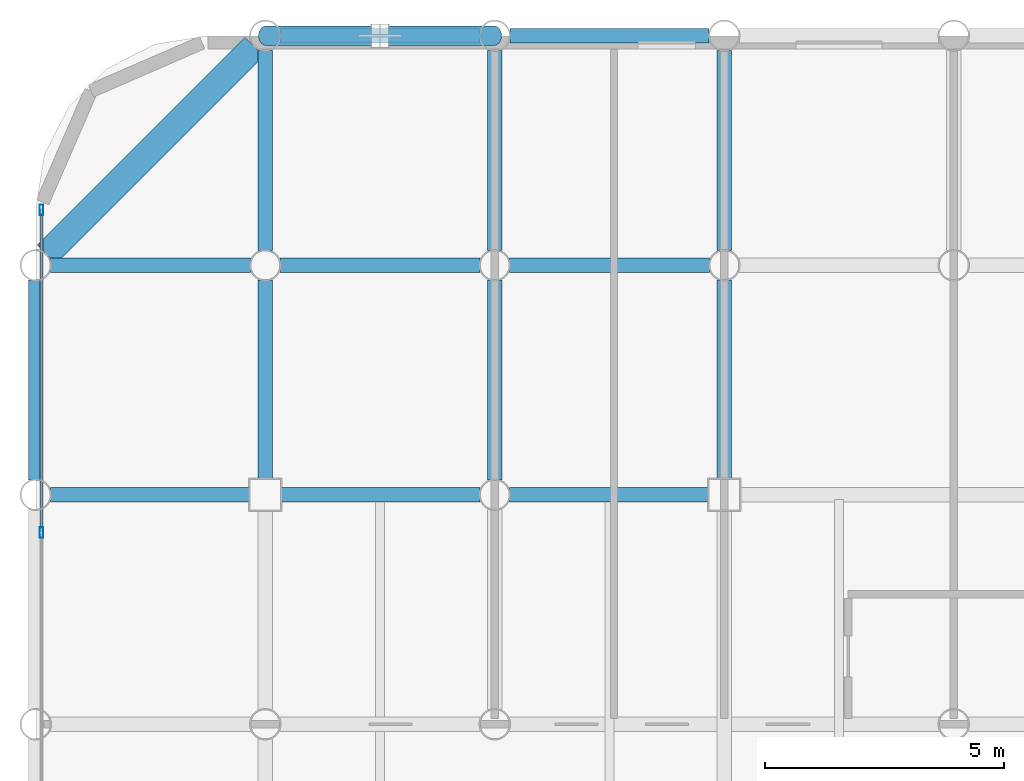
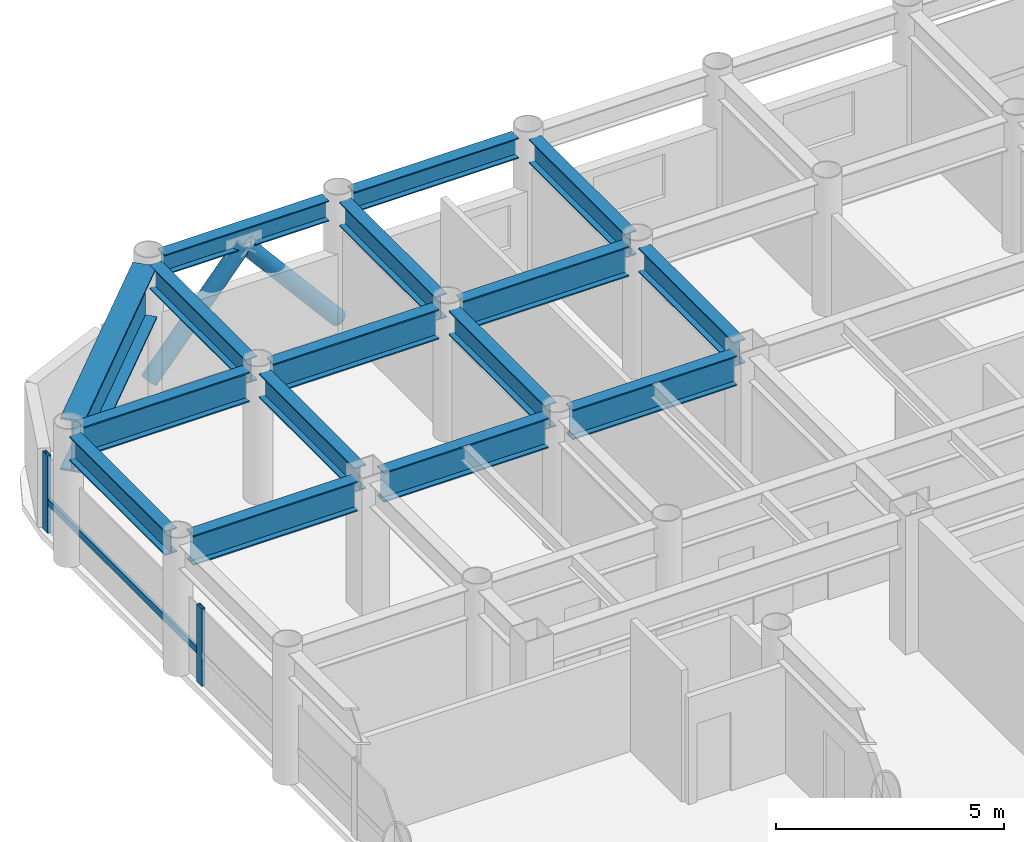
# One storey, part 11 of 22: 16 beams, 5 members, 1 element without a shape of its own.
"""IFC4 building model written with IfcOpenShell, lengths in metres."""

from ifc_helpers import new_model, si_unit, direction, frame, origin, origin_2d, place, context, subcontext, project, spatial, hollow_rectangle, hollow_circle, i_section, extrude, material, layer, layer_set, material_profile, profile_set, type_object, element, aggregate, save


model = new_model("IFC4")

# Units and contexts
model_context = context("Model", 3, precision=1e-05, world=origin(), true_north=direction((0.0, 1.0)))
body_context = subcontext(model_context, "Body", "Model", "MODEL_VIEW")
ifc_project = project(units=[si_unit("LENGTHUNIT", "METRE"), si_unit("AREAUNIT", "SQUARE_METRE"), si_unit("VOLUMEUNIT", "CUBIC_METRE"), si_unit("PLANEANGLEUNIT", "RADIAN"), si_unit("MASSUNIT", "GRAM", prefix="KILO")], contexts=[model_context])

# Site, building, storey
site_placement = place(None, origin())
site = spatial("IfcSite", under=ifc_project, at=site_placement, CompositionType="ELEMENT")
building_placement = place(site_placement, origin())
building = spatial("IfcBuilding", under=site, at=building_placement, Name="Kallvorn Hotel Tower", CompositionType="ELEMENT")
storey_placement = place(building_placement, frame((0.0, 0.0, 113.699951171875)))
storey = spatial("IfcBuildingStorey", under=building, at=storey_placement, Name="L27", CompositionType="ELEMENT", Elevation=113.699951171875)

# Beams
ifc_material_1 = material(Name="Structural steel S355JR", Category="steel")
ifc_material_profile_1 = material_profile(ifc_material_1, i_section(OverallWidth=0.300048828125, OverallDepth=0.550048828125, WebThickness=0.014892578125, FlangeThickness=0.029052734375, at=origin_2d()), Name="HE 550 B")
ifc_profile_set_1 = profile_set([ifc_material_profile_1], Name="Structural steel S355JR")
beam_type_1 = type_object("IfcBeamType", Name="BM_HE550B", PredefinedType="SPANDREL", material=ifc_profile_set_1)
for number, where, z_axis, x_axis, name in (
    (1, (-23.679931640625, 24.0, 3.2451171875), (1.0, 0.0, 0.0), (0.0, 1.0, 0.0), "L28 Perimeter Spandrel 163"),
    (2, (-18.8798828125, 24.0, 3.2451171875), (1.0, 0.0, 0.0), (0.0, 1.0, 0.0), "L28 Perimeter Spandrel 164"),
):
    element("IfcBeam", number, at=place(storey_placement, frame(where, z_axis=z_axis, x_axis=x_axis)), inside=storey, type_object=beam_type_1, Name=name, PredefinedType="SPANDREL", context=body_context, shape_type="SweptSolid", body=[
        extrude(i_section(OverallWidth=0.300048828125, OverallDepth=0.550048828125, WebThickness=0.014892578125, FlangeThickness=0.029052734375, at=origin_2d()), origin(), (0.0, 0.0, 1.0), 4.159912109375),
    ])
ifc_material_2 = material(Name="Structural steel S355JR", Category="steel")
ifc_material_profile_2 = material_profile(ifc_material_2, i_section(OverallWidth=0.300048828125, OverallDepth=0.64990234375, WebThickness=0.01611328125, FlangeThickness=0.031005859375, at=origin_2d()), Name="HE 650 B")
ifc_profile_set_2 = profile_set([ifc_material_profile_2], Name="Structural steel S355JR")
beam_type_2 = type_object("IfcBeamType", Name="BM_HE650B", PredefinedType="BEAM", material=ifc_profile_set_2)
beam_1_placement = place(storey_placement, frame((-28.800048828125, 14.705078125, 3.195068359375), z_axis=(0.0, 1.0, 0.0), x_axis=(-1.0, 0.0, 0.0)))
element("IfcBeam", 3, at=beam_1_placement, inside=storey, type_object=beam_type_2, Name="L28 Primary Y-Girder 80", PredefinedType="BEAM", context=body_context, shape_type="SweptSolid", body=[
    extrude(i_section(OverallWidth=0.300048828125, OverallDepth=0.64990234375, WebThickness=0.01611328125, FlangeThickness=0.031005859375, at=origin_2d()), origin(), (0.0, 0.0, 1.0), 4.18994140625),
])
beam_2_placement = place(storey_placement, frame((-24.0, 14.72509765625, 3.195068359375), z_axis=(0.0, 1.0, 0.0), x_axis=(-1.0, 0.0, 0.0)))
element("IfcBeam", 4, at=beam_2_placement, inside=storey, type_object=beam_type_2, Name="L28 Primary Y-Girder 86", PredefinedType="BEAM", context=body_context, shape_type="SweptSolid", body=[
    extrude(i_section(OverallWidth=0.300048828125, OverallDepth=0.64990234375, WebThickness=0.01611328125, FlangeThickness=0.031005859375, at=origin_2d()), origin(), (0.0, 0.0, 1.0), 4.169921875),
])
beam_3_placement = place(storey_placement, frame((-24.0, 19.5048828125, 3.195068359375), z_axis=(0.0, 1.0, 0.0), x_axis=(-1.0, 0.0, 0.0)))
element("IfcBeam", 5, at=beam_3_placement, inside=storey, type_object=beam_type_2, Name="L28 Primary Y-Girder 87", PredefinedType="BEAM", context=body_context, shape_type="SweptSolid", body=[
    extrude(i_section(OverallWidth=0.300048828125, OverallDepth=0.64990234375, WebThickness=0.01611328125, FlangeThickness=0.031005859375, at=origin_2d()), origin(), (0.0, 0.0, 1.0), 4.190185546875),
])
beam_4_placement = place(storey_placement, frame((-19.199951171875, 14.705078125, 3.195068359375), z_axis=(0.0, 1.0, 0.0), x_axis=(-1.0, 0.0, 0.0)))
element("IfcBeam", 6, at=beam_4_placement, inside=storey, type_object=beam_type_2, Name="L28 Primary Y-Girder 95", PredefinedType="BEAM", context=body_context, shape_type="SweptSolid", body=[
    extrude(i_section(OverallWidth=0.300048828125, OverallDepth=0.64990234375, WebThickness=0.01611328125, FlangeThickness=0.031005859375, at=origin_2d()), origin(), (0.0, 0.0, 1.0), 4.18994140625),
])
beam_5_placement = place(storey_placement, frame((-19.199951171875, 19.5048828125, 3.195068359375), z_axis=(0.0, 1.0, 0.0), x_axis=(-1.0, 0.0, 0.0)))
element("IfcBeam", 7, at=beam_5_placement, inside=storey, type_object=beam_type_2, Name="L28 Primary Y-Girder 96", PredefinedType="BEAM", context=body_context, shape_type="SweptSolid", body=[
    extrude(i_section(OverallWidth=0.300048828125, OverallDepth=0.64990234375, WebThickness=0.01611328125, FlangeThickness=0.031005859375, at=origin_2d()), origin(), (0.0, 0.0, 1.0), 4.190185546875),
])
beam_6_placement = place(storey_placement, frame((-14.39990234375, 14.72509765625, 3.195068359375), z_axis=(0.0, 1.0, 0.0), x_axis=(-1.0, 0.0, 0.0)))
element("IfcBeam", 8, at=beam_6_placement, inside=storey, type_object=beam_type_2, Name="L28 Primary Y-Girder 100", PredefinedType="BEAM", context=body_context, shape_type="SweptSolid", body=[
    extrude(i_section(OverallWidth=0.300048828125, OverallDepth=0.64990234375, WebThickness=0.01611328125, FlangeThickness=0.031005859375, at=origin_2d()), origin(), (0.0, 0.0, 1.0), 4.169921875),
])
beam_7_placement = place(storey_placement, frame((-14.39990234375, 19.5048828125, 3.195068359375), z_axis=(0.0, 1.0, 0.0), x_axis=(-1.0, 0.0, 0.0)))
element("IfcBeam", 9, at=beam_7_placement, inside=storey, type_object=beam_type_2, Name="L28 Primary Y-Girder 101", PredefinedType="BEAM", context=body_context, shape_type="SweptSolid", body=[
    extrude(i_section(OverallWidth=0.300048828125, OverallDepth=0.64990234375, WebThickness=0.01611328125, FlangeThickness=0.031005859375, at=origin_2d()), origin(), (0.0, 0.0, 1.0), 4.190185546875),
])
ifc_material_3 = material(Name="Structural steel S355JR", Category="steel")
ifc_material_profile_3 = material_profile(ifc_material_3, i_section(OverallWidth=0.300048828125, OverallDepth=0.800048828125, WebThickness=0.017578125, FlangeThickness=0.032958984375, at=origin_2d()), Name="HE 800 B")
ifc_profile_set_3 = profile_set([ifc_material_profile_3], Name="Structural steel S355JR")
beam_type_3 = type_object("IfcBeamType", Name="BM_HE800B", PredefinedType="BEAM", material=ifc_profile_set_3)
for number, where, z_axis, x_axis, name in (
    (10, (-28.4951171875, 14.39990234375, 3.1201171875), (1.0, 0.0, 0.0), (0.0, 1.0, 0.0), "L28 Primary X-Girder 50"),
    (11, (-23.675048828125, 14.39990234375, 3.1201171875), (1.0, 0.0, 0.0), (0.0, 1.0, 0.0), "L28 Primary X-Girder 51"),
):
    element("IfcBeam", number, at=place(storey_placement, frame(where, z_axis=z_axis, x_axis=x_axis)), inside=storey, type_object=beam_type_3, Name=name, PredefinedType="BEAM", context=body_context, shape_type="SweptSolid", body=[
        extrude(i_section(OverallWidth=0.300048828125, OverallDepth=0.800048828125, WebThickness=0.017578125, FlangeThickness=0.032958984375, at=origin_2d()), origin(), (0.0, 0.0, 1.0), 4.170166015625),
    ])
beam_8_placement = place(storey_placement, frame((-18.89501953125, 14.39990234375, 3.1201171875), z_axis=(1.0, 0.0, 0.0), x_axis=(0.0, 1.0, 0.0)))
element("IfcBeam", 12, at=beam_8_placement, inside=storey, type_object=beam_type_3, Name="L28 Primary X-Girder 52", PredefinedType="BEAM", context=body_context, shape_type="SweptSolid", body=[
    extrude(i_section(OverallWidth=0.300048828125, OverallDepth=0.800048828125, WebThickness=0.017578125, FlangeThickness=0.032958984375, at=origin_2d()), origin(), (0.0, 0.0, 1.0), 4.169921875),
])
for number, where, z_axis, x_axis, name in (
    (13, (-28.4951171875, 19.199951171875, 3.1201171875), (1.0, 0.0, 0.0), (0.0, 1.0, 0.0), "L28 Primary X-Girder 60"),
    (14, (-23.695068359375, 19.199951171875, 3.1201171875), (1.0, 0.0, 0.0), (0.0, 1.0, 0.0), "L28 Primary X-Girder 61"),
):
    element("IfcBeam", number, at=place(storey_placement, frame(where, z_axis=z_axis, x_axis=x_axis)), inside=storey, type_object=beam_type_3, Name=name, PredefinedType="BEAM", context=body_context, shape_type="SweptSolid", body=[
        extrude(i_section(OverallWidth=0.300048828125, OverallDepth=0.800048828125, WebThickness=0.017578125, FlangeThickness=0.032958984375, at=origin_2d()), origin(), (0.0, 0.0, 1.0), 4.190185546875),
    ])
beam_9_placement = place(storey_placement, frame((-18.89501953125, 19.199951171875, 3.1201171875), z_axis=(1.0, 0.0, 0.0), x_axis=(0.0, 1.0, 0.0)))
element("IfcBeam", 15, at=beam_9_placement, inside=storey, type_object=beam_type_3, Name="L28 Primary X-Girder 62", PredefinedType="BEAM", context=body_context, shape_type="SweptSolid", body=[
    extrude(i_section(OverallWidth=0.300048828125, OverallDepth=0.800048828125, WebThickness=0.017578125, FlangeThickness=0.032958984375, at=origin_2d()), origin(), (0.0, 0.0, 1.0), 4.18994140625),
])
ifc_material_4 = material(Name="Structural steel S355JR", Category="steel")
ifc_material_profile_4 = material_profile(ifc_material_4, i_section(OverallWidth=0.550048828125, OverallDepth=1.39990234375, WebThickness=0.02490234375, FlangeThickness=0.044921875, at=origin_2d()), Name="PG 1400x550x25x45")
ifc_profile_set_4 = profile_set([ifc_material_profile_4], Name="Structural steel S355JR")
beam_type_4 = type_object("IfcBeamType", Name="BM_PG_1400", PredefinedType="BEAM", material=ifc_profile_set_4)
beam_10_placement = place(storey_placement, frame((-28.57373046875, 19.42626953125, 2.820068359375), z_axis=(0.707106781187, 0.707106781187, 0.0), x_axis=(-0.707106781187, 0.707106781187, 0.0)))
element("IfcBeam", 16, at=beam_10_placement, inside=storey, type_object=beam_type_4, Name="L28 Rounded Corner Tie Beam 189", PredefinedType="BEAM", context=body_context, shape_type="SweptSolid", body=[
    extrude(i_section(OverallWidth=0.550048828125, OverallDepth=1.39990234375, WebThickness=0.02490234375, FlangeThickness=0.044921875, at=origin_2d()), origin(), (0.0, 0.0, 1.0), 6.148193359375),
])

# Curtain wall, members
ifc_material_5 = material(Name="Thermally broken black-anodised aluminium AA 6063-T6", Category="aluminium")
ifc_layer = layer(ifc_material_5, 0.199951171875)
ifc_layer_set = layer_set([ifc_layer], Name="CW_SYS_3_HOTEL_LOW")
curtain_wall_type = type_object("IfcCurtainWallType", Name="CW_SYS_3_HOTEL_LOW", PredefinedType="USERDEFINED", material=ifc_layer_set)
curtain_wall_placement = place(storey_placement, origin())
curtain_wall = element("IfcCurtainWall", 17, at=curtain_wall_placement, inside=storey, type_object=curtain_wall_type, Name="L27 Dark-Glass Curtain Wall CW-L27-WN", ObjectType="UNITISED CURTAIN WALL", PredefinedType="USERDEFINED")
ifc_material_6 = material(Name="Thermally broken black-anodised aluminium AA 6063-T6", Category="aluminium")
ifc_material_profile_5 = material_profile(ifc_material_6, hollow_rectangle(XDim=0.080078125, YDim=0.219970703125, WallThickness=0.0048828125, at=origin_2d()), Name="MUL 220x80")
ifc_profile_set_5 = profile_set([ifc_material_profile_5], Name="Thermally broken black-anodised aluminium AA 6063-T6")
member_type_1 = type_object("IfcMemberType", Name="CW_MULLION_220x80", PredefinedType="MULLION", material=ifc_profile_set_5)
member_1_placement = place(storey_placement, frame((-28.679931640625, 13.606689453125, 0.02001953125), z_axis=(0.0, 0.0, 1.0), x_axis=(1.0, 0.0, 0.0)))
member_1 = element("IfcMember", 18, at=member_1_placement, type_object=member_type_1, Name="CW-L27-WN Mullion 02", PredefinedType="MULLION", context=body_context, shape_type="SweptSolid", body=[
    extrude(hollow_rectangle(XDim=0.080078125, YDim=0.219970703125, WallThickness=0.0048828125, at=origin_2d()), origin(), (0.0, 0.0, 1.0), 2.080078125),
])
member_2_placement = place(storey_placement, frame((-28.679931640625, 20.360107421875, 0.02001953125), z_axis=(0.0, 0.0, 1.0), x_axis=(1.0, 0.0, 0.0)))
member_2 = element("IfcMember", 19, at=member_2_placement, type_object=member_type_1, Name="CW-L27-WN Mullion 03", PredefinedType="MULLION", context=body_context, shape_type="SweptSolid", body=[
    extrude(hollow_rectangle(XDim=0.080078125, YDim=0.219970703125, WallThickness=0.0048828125, at=origin_2d()), origin(), (0.0, 0.0, 1.0), 2.080078125),
])
ifc_material_7 = material(Name="Thermally broken black-anodised aluminium AA 6063-T6", Category="aluminium")
ifc_material_profile_6 = material_profile(ifc_material_7, hollow_rectangle(XDim=0.070068359375, YDim=0.179931640625, WallThickness=0.00390625, at=origin_2d()), Name="TRN 180x70")
ifc_profile_set_6 = profile_set([ifc_material_profile_6], Name="Thermally broken black-anodised aluminium AA 6063-T6")
member_type_2 = type_object("IfcMemberType", Name="CW_TRANSOM_180x70", PredefinedType="USERDEFINED", material=ifc_profile_set_6)
member_3_placement = place(storey_placement, frame((-28.679931640625, 13.646728515625, 0.85009765625), z_axis=(0.0, 1.0, 0.0), x_axis=(-1.0, 0.0, 0.0)))
member_3 = element("IfcMember", 20, at=member_3_placement, type_object=member_type_2, Name="CW-L27-WN Transom 02M", ObjectType="TRANSOM", PredefinedType="USERDEFINED", context=body_context, shape_type="SweptSolid", body=[
    extrude(hollow_rectangle(XDim=0.070068359375, YDim=0.179931640625, WallThickness=0.00390625, at=origin_2d()), origin(), (0.0, 0.0, 1.0), 6.71337890625),
])
aggregate(curtain_wall, [member_1, member_2, member_3])

# Members
ifc_material_8 = material(Name="Structural steel S355J2H", Category="steel")
ifc_material_profile_7 = material_profile(ifc_material_8, hollow_circle(Radius=0.203125, WallThickness=0.01611328125, at=origin_2d()), Name="CHS 406.4x16")
ifc_profile_set_7 = profile_set([ifc_material_profile_7], Name="Structural steel S355J2H")
member_type_3 = type_object("IfcMemberType", Name="MBR_EXO_CHS406", PredefinedType="BRACE", material=ifc_profile_set_7)
for number, where, z_axis, x_axis, name in (
    (21, (-23.987060546875, 24.0, 0.1953125), (0.646833296797, 0.0, 0.762631422218), (0.0, 1.0, 0.0), "L27 Exoskeleton K-Brace N1A"),
    (22, (-19.212890625, 24.0, 0.1953125), (-0.646833296797, 0.0, 0.762631422218), (0.0, -1.0, 0.0), "L27 Exoskeleton K-Brace N1B"),
):
    element("IfcMember", number, at=place(storey_placement, frame(where, z_axis=z_axis, x_axis=x_axis)), inside=storey, type_object=member_type_3, Name=name, PredefinedType="BRACE", context=body_context, shape_type="SweptSolid", body=[
        extrude(hollow_circle(Radius=0.203125, WallThickness=0.01611328125, at=origin_2d()), origin(), (0.0, 0.0, 1.0), 3.670654296875),
    ])

save(model, "model.ifc")
